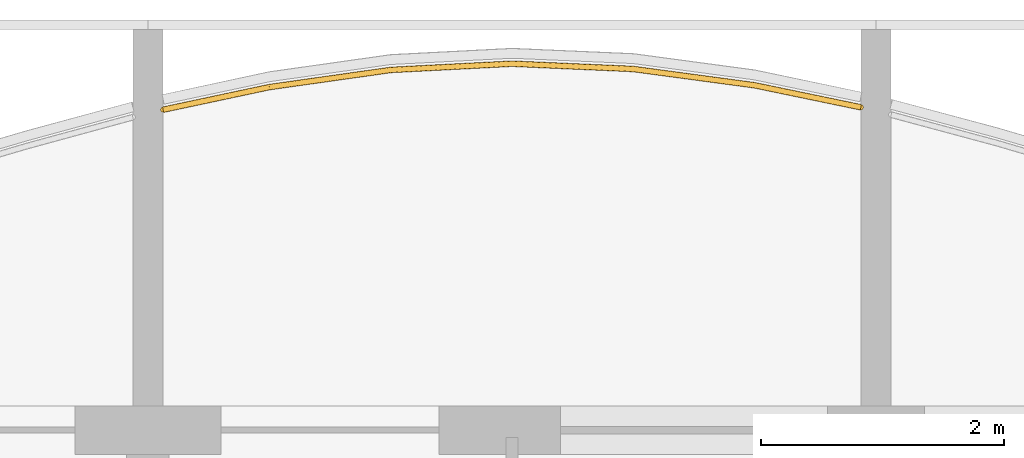
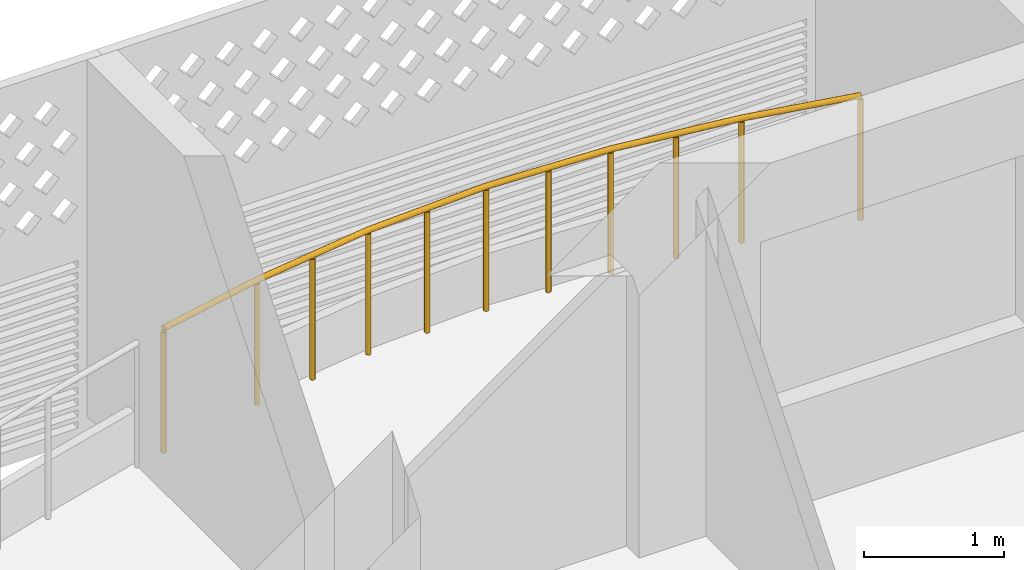
# One storey, part 21 of 29: 1 railing.
"""IFC4 building model written with IfcOpenShell, lengths in metres."""

from ifc_helpers import new_model, si_unit, direction, frame, origin, origin_2d, place, context, subcontext, project, spatial, circle, extrude, material, type_object, element, save


model = new_model("IFC4")

# Units and contexts
model_context = context("Model", 3, precision=1e-05, world=origin(), true_north=direction((0.0, 1.0)))
body_context = subcontext(model_context, "Body", "Model", "MODEL_VIEW")
ifc_project = project(units=[si_unit("LENGTHUNIT", "METRE"), si_unit("AREAUNIT", "SQUARE_METRE"), si_unit("VOLUMEUNIT", "CUBIC_METRE"), si_unit("PLANEANGLEUNIT", "RADIAN"), si_unit("MASSUNIT", "GRAM", prefix="KILO")], contexts=[model_context])

# Site, building, storey
site_placement = place(None, origin())
site = spatial("IfcSite", under=ifc_project, at=site_placement, CompositionType="ELEMENT")
building_placement = place(site_placement, origin())
building = spatial("IfcBuilding", under=site, at=building_placement, Name="Poui Terraces", CompositionType="ELEMENT")
storey_placement = place(building_placement, frame((0.0, 0.0, 86.10009765625)))
storey = spatial("IfcBuildingStorey", under=building, at=storey_placement, Name="L23", CompositionType="ELEMENT", Elevation=86.10009765625)

# Railing
ifc_material = material(Name="Painted steel fretwork", Category="steel")
railing_type = type_object("IfcRailingType", Name="BALCONY GUARD 1100", PredefinedType="GUARDRAIL", material=ifc_material)
railing_placement = place(storey_placement, frame((30.125, 46.24072265625, 0.0)))
element("IfcRailing", 1, at=railing_placement, inside=storey, type_object=railing_type, Name="BALCONY GUARD", PredefinedType="GUARDRAIL", context=body_context, shape_type="SweptSolid", body=[
    extrude(circle(Radius=0.02392578125, at=origin_2d()), frame((0.0, 0.0, 1.076171875), z_axis=(0.978081102003, 0.208224297106, 0.0), x_axis=(-0.208224297106, 0.978081102003, 0.0)), (0.0, 0.0, 1.0), 0.89453125),
    extrude(circle(Radius=0.02392578125, at=origin_2d()), frame((0.875, 0.186279296875, 1.076171875), z_axis=(0.99015631817, 0.13996594439, 0.0), x_axis=(-0.13996594439, 0.99015631817, 0.0)), (0.0, 0.0, 1.0), 1.010009765625),
    extrude(circle(Radius=0.02392578125, at=origin_2d()), frame((1.875, 0.32763671875, 1.076171875), z_axis=(0.998675805692, 0.051445457764, 0.0), x_axis=(-0.051445457764, 0.998675805692, 0.0)), (0.0, 0.0, 1.0), 1.001220703125),
    extrude(circle(Radius=0.02392578125, at=origin_2d()), frame((2.875, 0.379150390625, 1.076171875), z_axis=(0.999046469355, -0.043659501468, 0.0), x_axis=(0.043659501468, 0.999046469355, 0.0)), (0.0, 0.0, 1.0), 1.0009765625),
    extrude(circle(Radius=0.02392578125, at=origin_2d()), frame((3.875, 0.33544921875, 1.076171875), z_axis=(0.991104904979, -0.133082934018, 0.0), x_axis=(0.133082934018, 0.991104904979, 0.0)), (0.0, 0.0, 1.0), 1.009033203125),
    extrude(circle(Radius=0.02392578125, at=origin_2d()), frame((4.875, 0.201171875, 1.076171875), z_axis=(0.979179968629, -0.202994061577, 0.0), x_axis=(0.202994061577, 0.979179968629, 0.0)), (0.0, 0.0, 1.0), 0.8935546875),
    extrude(circle(Radius=0.02099609375, at=origin_2d()), origin(), (0.0, 0.0, 1.0), 1.052001953125),
    extrude(circle(Radius=0.02099609375, at=origin_2d()), frame((0.875, 0.186279296875, 0.0)), (0.0, 0.0, 1.0), 1.052001953125),
    extrude(circle(Radius=0.02099609375, at=origin_2d()), frame((1.375, 0.2568359375, 0.0)), (0.0, 0.0, 1.0), 1.052001953125),
    extrude(circle(Radius=0.02099609375, at=origin_2d()), frame((1.875, 0.32763671875, 0.0)), (0.0, 0.0, 1.0), 1.052001953125),
    extrude(circle(Radius=0.02099609375, at=origin_2d()), frame((2.375, 0.353515625, 0.0)), (0.0, 0.0, 1.0), 1.052001953125),
    extrude(circle(Radius=0.02099609375, at=origin_2d()), frame((2.875, 0.379150390625, 0.0)), (0.0, 0.0, 1.0), 1.052001953125),
    extrude(circle(Radius=0.02099609375, at=origin_2d()), frame((3.375, 0.357421875, 0.0)), (0.0, 0.0, 1.0), 1.052001953125),
    extrude(circle(Radius=0.02099609375, at=origin_2d()), frame((3.875, 0.33544921875, 0.0)), (0.0, 0.0, 1.0), 1.052001953125),
    extrude(circle(Radius=0.02099609375, at=origin_2d()), frame((4.375, 0.268310546875, 0.0)), (0.0, 0.0, 1.0), 1.052001953125),
    extrude(circle(Radius=0.02099609375, at=origin_2d()), frame((4.875, 0.201171875, 0.0)), (0.0, 0.0, 1.0), 1.052001953125),
    extrude(circle(Radius=0.02099609375, at=origin_2d()), frame((5.75, 0.019775390625, 0.0)), (0.0, 0.0, 1.0), 1.052001953125),
])

save(model, "model.ifc")
